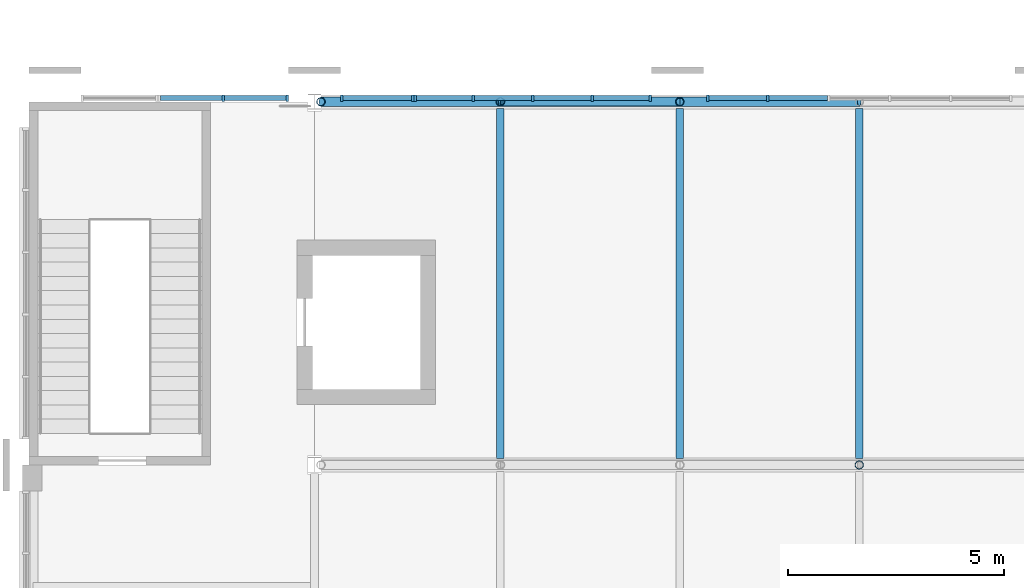
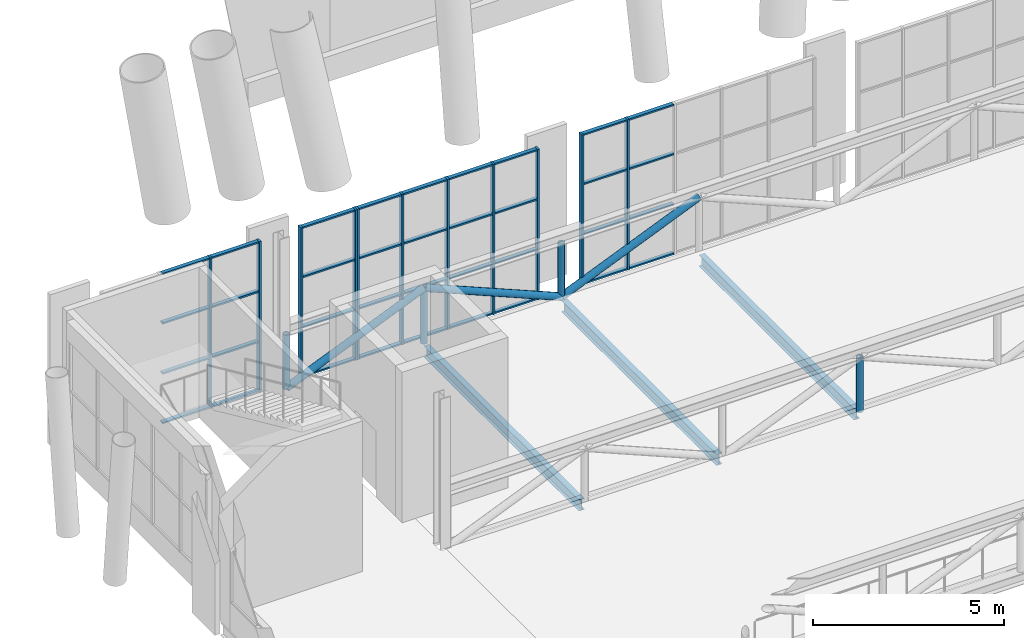
# One storey, part 34 of 76: 54 members, 3 beams, 4 elements without a shape of their own.
"""IFC4 building model written with IfcOpenShell, lengths in metres."""

from ifc_helpers import new_model, si_unit, direction, frame, origin, origin_2d, place, context, subcontext, project, spatial, rectangle, hollow_circle, i_section, extrude, material, material_profile, profile_set, type_object, element, aggregate, save


model = new_model("IFC4")

# Units and contexts
model_context = context("Model", 3, precision=1e-05, world=origin(), true_north=direction((0.0, 1.0)))
body_context = subcontext(model_context, "Body", "Model", "MODEL_VIEW")
ifc_project = project(units=[si_unit("LENGTHUNIT", "METRE"), si_unit("AREAUNIT", "SQUARE_METRE"), si_unit("VOLUMEUNIT", "CUBIC_METRE"), si_unit("PLANEANGLEUNIT", "RADIAN"), si_unit("MASSUNIT", "GRAM", prefix="KILO")], contexts=[model_context])

# Site, building, storey
site_placement = place(None, origin())
site = spatial("IfcSite", under=ifc_project, at=site_placement, CompositionType="ELEMENT")
building_placement = place(site_placement, origin())
building = spatial("IfcBuilding", under=site, at=building_placement, Name="Sava Quay Ferry Terminal", CompositionType="ELEMENT")
storey_placement = place(building_placement, frame((0.0, 0.0, 6.0)))
storey = spatial("IfcBuildingStorey", under=building, at=storey_placement, Name="L01", CompositionType="ELEMENT", Elevation=6.0)

# Beams
ifc_material_1 = material(Name="Steel S355", Category="steel")
ifc_material_profile_1 = material_profile(ifc_material_1, i_section(OverallWidth=0.169921875, OverallDepth=0.360107421875, WebThickness=0.008056640625, FlangeThickness=0.0126953125, at=origin_2d()), Name="IPE 360")
ifc_profile_set_1 = profile_set([ifc_material_profile_1], Name="Steel S355")
beam_type = type_object("IfcBeamType", Name="Beam IPE 360", PredefinedType="BEAM", material=ifc_profile_set_1)
for number, where, z_axis, x_axis, name in (
    (1, (54.699951171875, 92.550048828125, -0.31005859375), (0.0, 1.0, 0.0), (-1.0, 0.0, 0.0), "Truss floor beam"),
    (2, (58.85009765625, 92.550048828125, -0.31005859375), (0.0, 1.0, 0.0), (-1.0, 0.0, 0.0), "Truss floor beam"),
    (3, (63.0, 92.550048828125, -0.31005859375), (0.0, 1.0, 0.0), (-1.0, 0.0, 0.0), "Truss floor beam"),
):
    element("IfcBeam", number, at=place(storey_placement, frame(where, z_axis=z_axis, x_axis=x_axis)), inside=storey, type_object=beam_type, Name=name, PredefinedType="BEAM", context=body_context, shape_type="SweptSolid", body=[
        extrude(i_section(OverallWidth=0.169921875, OverallDepth=0.360107421875, WebThickness=0.008056640625, FlangeThickness=0.0126953125, at=origin_2d()), origin(), (0.0, 0.0, 1.0), 8.099853515625),
    ])

# Members
ifc_material_2 = material(Name="Steel S355", Category="steel")
ifc_material_profile_2 = material_profile(ifc_material_2, hollow_circle(Radius=0.096923828125, WallThickness=0.008056640625, at=origin_2d()), Name="CHS 193.7 x 8")
ifc_profile_set_2 = profile_set([ifc_material_profile_2], Name="Steel S355")
member_type_1 = type_object("IfcMemberType", Name="Brace CHS 193.7 x 8", PredefinedType="BRACE", material=ifc_profile_set_2)
for number, where, z_axis, x_axis, name in (
    (4, (63.0, 92.39990234375, -0.1298828125), (0.0, 0.0, 1.0), (1.0, 0.0, 0.0), "Truss post 92.4"),
    (5, (50.550048828125, 100.800048828125, -0.1298828125), (0.0, 0.0, 1.0), (1.0, 0.0, 0.0), "Truss post 100.8"),
    (6, (54.699951171875, 100.800048828125, -0.1298828125), (0.0, 0.0, 1.0), (1.0, 0.0, 0.0), "Truss post 100.8"),
    (7, (58.85009765625, 100.800048828125, -0.1298828125), (0.0, 0.0, 1.0), (1.0, 0.0, 0.0), "Truss post 100.8"),
):
    element("IfcMember", number, at=place(storey_placement, frame(where, z_axis=z_axis, x_axis=x_axis)), inside=storey, type_object=member_type_1, Name=name, PredefinedType="BRACE", context=body_context, shape_type="SweptSolid", body=[
        extrude(hollow_circle(Radius=0.096923828125, WallThickness=0.008056640625, at=origin_2d()), origin(), (0.0, 0.0, 1.0), 1.739990234375),
    ])
ifc_material_3 = material(Name="Steel S355", Category="steel")
ifc_material_profile_3 = material_profile(ifc_material_3, hollow_circle(Radius=0.109619140625, WallThickness=0.010009765625, at=origin_2d()), Name="CHS 219.1 x 10")
ifc_profile_set_3 = profile_set([ifc_material_profile_3], Name="Steel S355")
member_type_2 = type_object("IfcMemberType", Name="Brace CHS 219.1 x 10", PredefinedType="BRACE", material=ifc_profile_set_3)
member_1_placement = place(storey_placement, frame((50.550048828125, 100.800048828125, -0.1298828125), z_axis=(0.922217474343, 0.0, 0.386671604874), x_axis=(0.0, 1.0, 0.0)))
element("IfcMember", 8, at=member_1_placement, inside=storey, type_object=member_type_2, Name="Truss diagonal 100.8", PredefinedType="BRACE", context=body_context, shape_type="SweptSolid", body=[
    extrude(hollow_circle(Radius=0.109619140625, WallThickness=0.010009765625, at=origin_2d()), origin(), (0.0, 0.0, 1.0), 4.5),
])
member_2_placement = place(storey_placement, frame((58.85009765625, 100.800048828125, -0.1298828125), z_axis=(-0.922225585588, 0.0, 0.386652258867), x_axis=(0.0, -1.0, 0.0)))
element("IfcMember", 9, at=member_2_placement, inside=storey, type_object=member_type_2, Name="Truss diagonal 100.8", PredefinedType="BRACE", context=body_context, shape_type="SweptSolid", body=[
    extrude(hollow_circle(Radius=0.109619140625, WallThickness=0.010009765625, at=origin_2d()), origin(), (0.0, 0.0, 1.0), 4.500244140625),
])
member_3_placement = place(storey_placement, frame((58.85009765625, 100.800048828125, -0.1298828125), z_axis=(0.922217474343, 0.0, 0.386671604874), x_axis=(0.0, 1.0, 0.0)))
element("IfcMember", 10, at=member_3_placement, inside=storey, type_object=member_type_2, Name="Truss diagonal 100.8", PredefinedType="BRACE", context=body_context, shape_type="SweptSolid", body=[
    extrude(hollow_circle(Radius=0.109619140625, WallThickness=0.010009765625, at=origin_2d()), origin(), (0.0, 0.0, 1.0), 4.5),
])

# Curtain wall, members
ifc_material_4 = material(Name="Aluminium and glass curtain wall, double low-e glazed", Category="aluminium")
curtain_wall_type = type_object("IfcCurtainWallType", Name="Curtain wall CW-G gable", PredefinedType="NOTDEFINED", material=ifc_material_4)
curtain_wall_1_placement = place(storey_placement, origin())
curtain_wall_1 = element("IfcCurtainWall", 11, at=curtain_wall_1_placement, inside=storey, type_object=curtain_wall_type, Name="Curtain wall D-N L01 bay 11", PredefinedType="NOTDEFINED")
ifc_material_5 = material(Name="Aluminium EN AW-6063 T6", Category="aluminium")
ifc_material_profile_4 = material_profile(ifc_material_5, rectangle(XDim=0.14990234375, YDim=0.06005859375, at=origin_2d()), Name="Mullion 60x150 aluminium")
ifc_profile_set_4 = profile_set([ifc_material_profile_4], Name="Aluminium EN AW-6063 T6")
member_type_3 = type_object("IfcMemberType", Name="Mullion 60x150 aluminium", PredefinedType="MULLION", material=ifc_profile_set_4)
member_4_placement = place(storey_placement, frame((48.2900390625, 100.885009765625, 0.0), z_axis=(0.0, 0.0, 1.0), x_axis=(0.0, 1.0, 0.0)))
member_4 = element("IfcMember", 12, at=member_4_placement, type_object=member_type_3, Name="CW58 mullion 2", PredefinedType="MULLION", context=body_context, shape_type="SweptSolid", body=[
    extrude(rectangle(XDim=0.14990234375, YDim=0.06005859375, at=origin_2d()), origin(), (0.0, 0.0, 1.0), 4.800048828125),
])
member_5_placement = place(storey_placement, frame((49.77001953125, 100.885009765625, 0.0), z_axis=(0.0, 0.0, 1.0), x_axis=(0.0, 1.0, 0.0)))
member_5 = element("IfcMember", 13, at=member_5_placement, type_object=member_type_3, Name="CW58 mullion 3", PredefinedType="MULLION", context=body_context, shape_type="SweptSolid", body=[
    extrude(rectangle(XDim=0.14990234375, YDim=0.06005859375, at=origin_2d()), origin(), (0.0, 0.0, 1.0), 4.800048828125),
])

curtain_wall_2_placement = place(storey_placement, origin())
curtain_wall_2 = element("IfcCurtainWall", 14, at=curtain_wall_2_placement, inside=storey, type_object=curtain_wall_type, Name="Curtain wall D-N L01 bay 12", PredefinedType="NOTDEFINED")
member_6_placement = place(storey_placement, frame((51.030029296875, 100.885009765625, 0.0), z_axis=(0.0, 0.0, 1.0), x_axis=(0.0, 1.0, 0.0)))
member_6 = element("IfcMember", 15, at=member_6_placement, type_object=member_type_3, Name="CW62 mullion 1", PredefinedType="MULLION", context=body_context, shape_type="SweptSolid", body=[
    extrude(rectangle(XDim=0.14990234375, YDim=0.06005859375, at=origin_2d()), origin(), (0.0, 0.0, 1.0), 4.800048828125),
])
member_7_placement = place(storey_placement, frame((52.669921875, 100.885009765625, 0.0), z_axis=(0.0, 0.0, 1.0), x_axis=(0.0, 1.0, 0.0)))
member_7 = element("IfcMember", 16, at=member_7_placement, type_object=member_type_3, Name="CW62 mullion 2", PredefinedType="MULLION", context=body_context, shape_type="SweptSolid", body=[
    extrude(rectangle(XDim=0.14990234375, YDim=0.06005859375, at=origin_2d()), origin(), (0.0, 0.0, 1.0), 4.800048828125),
])

curtain_wall_3_placement = place(storey_placement, origin())
curtain_wall_3 = element("IfcCurtainWall", 17, at=curtain_wall_3_placement, inside=storey, type_object=curtain_wall_type, Name="Curtain wall D-N L01 bay 21", PredefinedType="NOTDEFINED")
member_8_placement = place(storey_placement, frame((52.72998046875, 100.885009765625, 0.0), z_axis=(0.0, 0.0, 1.0), x_axis=(0.0, 1.0, 0.0)))
member_8 = element("IfcMember", 18, at=member_8_placement, type_object=member_type_3, Name="CW66 mullion 1", PredefinedType="MULLION", context=body_context, shape_type="SweptSolid", body=[
    extrude(rectangle(XDim=0.14990234375, YDim=0.06005859375, at=origin_2d()), origin(), (0.0, 0.0, 1.0), 4.800048828125),
])
member_9_placement = place(storey_placement, frame((54.074951171875, 100.885009765625, 0.0), z_axis=(0.0, 0.0, 1.0), x_axis=(0.0, 1.0, 0.0)))
member_9 = element("IfcMember", 19, at=member_9_placement, type_object=member_type_3, Name="CW66 mullion 2", PredefinedType="MULLION", context=body_context, shape_type="SweptSolid", body=[
    extrude(rectangle(XDim=0.14990234375, YDim=0.06005859375, at=origin_2d()), origin(), (0.0, 0.0, 1.0), 4.800048828125),
])
member_10_placement = place(storey_placement, frame((55.449951171875, 100.885009765625, 0.0), z_axis=(0.0, 0.0, 1.0), x_axis=(0.0, 1.0, 0.0)))
member_10 = element("IfcMember", 20, at=member_10_placement, type_object=member_type_3, Name="CW66 mullion 3", PredefinedType="MULLION", context=body_context, shape_type="SweptSolid", body=[
    extrude(rectangle(XDim=0.14990234375, YDim=0.06005859375, at=origin_2d()), origin(), (0.0, 0.0, 1.0), 4.800048828125),
])
member_11_placement = place(storey_placement, frame((56.824951171875, 100.885009765625, 0.0), z_axis=(0.0, 0.0, 1.0), x_axis=(0.0, 1.0, 0.0)))
member_11 = element("IfcMember", 21, at=member_11_placement, type_object=member_type_3, Name="CW66 mullion 4", PredefinedType="MULLION", context=body_context, shape_type="SweptSolid", body=[
    extrude(rectangle(XDim=0.14990234375, YDim=0.06005859375, at=origin_2d()), origin(), (0.0, 0.0, 1.0), 4.800048828125),
])
member_12_placement = place(storey_placement, frame((58.169921875, 100.885009765625, 0.0), z_axis=(0.0, 0.0, 1.0), x_axis=(0.0, 1.0, 0.0)))
member_12 = element("IfcMember", 22, at=member_12_placement, type_object=member_type_3, Name="CW66 mullion 5", PredefinedType="MULLION", context=body_context, shape_type="SweptSolid", body=[
    extrude(rectangle(XDim=0.14990234375, YDim=0.06005859375, at=origin_2d()), origin(), (0.0, 0.0, 1.0), 4.800048828125),
])

curtain_wall_4_placement = place(storey_placement, origin())
curtain_wall_4 = element("IfcCurtainWall", 23, at=curtain_wall_4_placement, inside=storey, type_object=curtain_wall_type, Name="Curtain wall D-N L01 bay 31", PredefinedType="NOTDEFINED")
member_13_placement = place(storey_placement, frame((59.5, 100.885009765625, 0.0), z_axis=(0.0, 0.0, 1.0), x_axis=(0.0, 1.0, 0.0)))
member_13 = element("IfcMember", 24, at=member_13_placement, type_object=member_type_3, Name="CW70 mullion 1", PredefinedType="MULLION", context=body_context, shape_type="SweptSolid", body=[
    extrude(rectangle(XDim=0.14990234375, YDim=0.06005859375, at=origin_2d()), origin(), (0.0, 0.0, 1.0), 4.800048828125),
])
member_14_placement = place(storey_placement, frame((60.882080078125, 100.885009765625, 0.0), z_axis=(0.0, 0.0, 1.0), x_axis=(0.0, 1.0, 0.0)))
member_14 = element("IfcMember", 25, at=member_14_placement, type_object=member_type_3, Name="CW70 mullion 2", PredefinedType="MULLION", context=body_context, shape_type="SweptSolid", body=[
    extrude(rectangle(XDim=0.14990234375, YDim=0.06005859375, at=origin_2d()), origin(), (0.0, 0.0, 1.0), 4.800048828125),
])

# Member
ifc_material_6 = material(Name="Aluminium EN AW-6063 T6", Category="aluminium")
ifc_material_profile_5 = material_profile(ifc_material_6, rectangle(XDim=0.1201171875, YDim=0.050048828125, at=origin_2d()), Name="Transom 50x120 aluminium")
ifc_profile_set_5 = profile_set([ifc_material_profile_5], Name="Aluminium EN AW-6063 T6")
member_type_4 = type_object("IfcMemberType", Name="Transom 50x120 aluminium", PredefinedType="USERDEFINED", material=ifc_profile_set_5)
member_15_placement = place(storey_placement, frame((46.840087890625, 100.885009765625, 0.02490234375), z_axis=(1.0, 0.0, 0.0), x_axis=(0.0, 1.0, 0.0)))
member_15 = element("IfcMember", 26, at=member_15_placement, type_object=member_type_4, Name="CW58 transom 1.1", ObjectType="TRANSOM", PredefinedType="USERDEFINED", context=body_context, shape_type="SweptSolid", body=[
    extrude(rectangle(XDim=0.1201171875, YDim=0.050048828125, at=origin_2d()), origin(), (0.0, 0.0, 1.0), 1.419921875),
])

member_16_placement = place(storey_placement, frame((46.840087890625, 100.885009765625, 1.60009765625), z_axis=(1.0, 0.0, 0.0), x_axis=(0.0, 1.0, 0.0)))
member_16 = element("IfcMember", 27, at=member_16_placement, type_object=member_type_4, Name="CW58 transom 1.2", ObjectType="TRANSOM", PredefinedType="USERDEFINED", context=body_context, shape_type="SweptSolid", body=[
    extrude(rectangle(XDim=0.1201171875, YDim=0.050048828125, at=origin_2d()), origin(), (0.0, 0.0, 1.0), 1.419921875),
])

member_17_placement = place(storey_placement, frame((46.840087890625, 100.885009765625, 3.199951171875), z_axis=(1.0, 0.0, 0.0), x_axis=(0.0, 1.0, 0.0)))
member_17 = element("IfcMember", 28, at=member_17_placement, type_object=member_type_4, Name="CW58 transom 1.3", ObjectType="TRANSOM", PredefinedType="USERDEFINED", context=body_context, shape_type="SweptSolid", body=[
    extrude(rectangle(XDim=0.1201171875, YDim=0.050048828125, at=origin_2d()), origin(), (0.0, 0.0, 1.0), 1.419921875),
])

member_18_placement = place(storey_placement, frame((46.840087890625, 100.885009765625, 4.77490234375), z_axis=(1.0, 0.0, 0.0), x_axis=(0.0, 1.0, 0.0)))
member_18 = element("IfcMember", 29, at=member_18_placement, type_object=member_type_4, Name="CW58 transom 1.4", ObjectType="TRANSOM", PredefinedType="USERDEFINED", context=body_context, shape_type="SweptSolid", body=[
    extrude(rectangle(XDim=0.1201171875, YDim=0.050048828125, at=origin_2d()), origin(), (0.0, 0.0, 1.0), 1.419921875),
])

member_19_placement = place(storey_placement, frame((48.320068359375, 100.885009765625, 0.02490234375), z_axis=(1.0, 0.0, 0.0), x_axis=(0.0, 1.0, 0.0)))
member_19 = element("IfcMember", 30, at=member_19_placement, type_object=member_type_4, Name="CW58 transom 2.1", ObjectType="TRANSOM", PredefinedType="USERDEFINED", context=body_context, shape_type="SweptSolid", body=[
    extrude(rectangle(XDim=0.1201171875, YDim=0.050048828125, at=origin_2d()), origin(), (0.0, 0.0, 1.0), 1.419921875),
])

member_20_placement = place(storey_placement, frame((48.320068359375, 100.885009765625, 1.60009765625), z_axis=(1.0, 0.0, 0.0), x_axis=(0.0, 1.0, 0.0)))
member_20 = element("IfcMember", 31, at=member_20_placement, type_object=member_type_4, Name="CW58 transom 2.2", ObjectType="TRANSOM", PredefinedType="USERDEFINED", context=body_context, shape_type="SweptSolid", body=[
    extrude(rectangle(XDim=0.1201171875, YDim=0.050048828125, at=origin_2d()), origin(), (0.0, 0.0, 1.0), 1.419921875),
])

member_21_placement = place(storey_placement, frame((48.320068359375, 100.885009765625, 3.199951171875), z_axis=(1.0, 0.0, 0.0), x_axis=(0.0, 1.0, 0.0)))
member_21 = element("IfcMember", 32, at=member_21_placement, type_object=member_type_4, Name="CW58 transom 2.3", ObjectType="TRANSOM", PredefinedType="USERDEFINED", context=body_context, shape_type="SweptSolid", body=[
    extrude(rectangle(XDim=0.1201171875, YDim=0.050048828125, at=origin_2d()), origin(), (0.0, 0.0, 1.0), 1.419921875),
])

member_22_placement = place(storey_placement, frame((48.320068359375, 100.885009765625, 4.77490234375), z_axis=(1.0, 0.0, 0.0), x_axis=(0.0, 1.0, 0.0)))
member_22 = element("IfcMember", 33, at=member_22_placement, type_object=member_type_4, Name="CW58 transom 2.4", ObjectType="TRANSOM", PredefinedType="USERDEFINED", context=body_context, shape_type="SweptSolid", body=[
    extrude(rectangle(XDim=0.1201171875, YDim=0.050048828125, at=origin_2d()), origin(), (0.0, 0.0, 1.0), 1.419921875),
])

aggregate(curtain_wall_1, [member_4, member_5, member_15, member_16, member_17, member_18, member_19, member_20, member_21, member_22])

member_23_placement = place(storey_placement, frame((51.06005859375, 100.885009765625, 0.02490234375), z_axis=(1.0, 0.0, 0.0), x_axis=(0.0, 1.0, 0.0)))
member_23 = element("IfcMember", 34, at=member_23_placement, type_object=member_type_4, Name="CW62 transom 1.1", ObjectType="TRANSOM", PredefinedType="USERDEFINED", context=body_context, shape_type="SweptSolid", body=[
    extrude(rectangle(XDim=0.1201171875, YDim=0.050048828125, at=origin_2d()), origin(), (0.0, 0.0, 1.0), 1.579833984375),
])

member_24_placement = place(storey_placement, frame((51.06005859375, 100.885009765625, 1.60009765625), z_axis=(1.0, 0.0, 0.0), x_axis=(0.0, 1.0, 0.0)))
member_24 = element("IfcMember", 35, at=member_24_placement, type_object=member_type_4, Name="CW62 transom 1.2", ObjectType="TRANSOM", PredefinedType="USERDEFINED", context=body_context, shape_type="SweptSolid", body=[
    extrude(rectangle(XDim=0.1201171875, YDim=0.050048828125, at=origin_2d()), origin(), (0.0, 0.0, 1.0), 1.579833984375),
])

member_25_placement = place(storey_placement, frame((51.06005859375, 100.885009765625, 3.199951171875), z_axis=(1.0, 0.0, 0.0), x_axis=(0.0, 1.0, 0.0)))
member_25 = element("IfcMember", 36, at=member_25_placement, type_object=member_type_4, Name="CW62 transom 1.3", ObjectType="TRANSOM", PredefinedType="USERDEFINED", context=body_context, shape_type="SweptSolid", body=[
    extrude(rectangle(XDim=0.1201171875, YDim=0.050048828125, at=origin_2d()), origin(), (0.0, 0.0, 1.0), 1.579833984375),
])

member_26_placement = place(storey_placement, frame((51.06005859375, 100.885009765625, 4.77490234375), z_axis=(1.0, 0.0, 0.0), x_axis=(0.0, 1.0, 0.0)))
member_26 = element("IfcMember", 37, at=member_26_placement, type_object=member_type_4, Name="CW62 transom 1.4", ObjectType="TRANSOM", PredefinedType="USERDEFINED", context=body_context, shape_type="SweptSolid", body=[
    extrude(rectangle(XDim=0.1201171875, YDim=0.050048828125, at=origin_2d()), origin(), (0.0, 0.0, 1.0), 1.579833984375),
])

aggregate(curtain_wall_2, [member_6, member_7, member_23, member_24, member_25, member_26])

member_27_placement = place(storey_placement, frame((52.760009765625, 100.885009765625, 0.02490234375), z_axis=(1.0, 0.0, 0.0), x_axis=(0.0, 1.0, 0.0)))
member_27 = element("IfcMember", 38, at=member_27_placement, type_object=member_type_4, Name="CW66 transom 1.1", ObjectType="TRANSOM", PredefinedType="USERDEFINED", context=body_context, shape_type="SweptSolid", body=[
    extrude(rectangle(XDim=0.1201171875, YDim=0.050048828125, at=origin_2d()), origin(), (0.0, 0.0, 1.0), 1.284912109375),
])

member_28_placement = place(storey_placement, frame((52.760009765625, 100.885009765625, 1.60009765625), z_axis=(1.0, 0.0, 0.0), x_axis=(0.0, 1.0, 0.0)))
member_28 = element("IfcMember", 39, at=member_28_placement, type_object=member_type_4, Name="CW66 transom 1.2", ObjectType="TRANSOM", PredefinedType="USERDEFINED", context=body_context, shape_type="SweptSolid", body=[
    extrude(rectangle(XDim=0.1201171875, YDim=0.050048828125, at=origin_2d()), origin(), (0.0, 0.0, 1.0), 1.284912109375),
])

member_29_placement = place(storey_placement, frame((52.760009765625, 100.885009765625, 3.199951171875), z_axis=(1.0, 0.0, 0.0), x_axis=(0.0, 1.0, 0.0)))
member_29 = element("IfcMember", 40, at=member_29_placement, type_object=member_type_4, Name="CW66 transom 1.3", ObjectType="TRANSOM", PredefinedType="USERDEFINED", context=body_context, shape_type="SweptSolid", body=[
    extrude(rectangle(XDim=0.1201171875, YDim=0.050048828125, at=origin_2d()), origin(), (0.0, 0.0, 1.0), 1.284912109375),
])

member_30_placement = place(storey_placement, frame((52.760009765625, 100.885009765625, 4.77490234375), z_axis=(1.0, 0.0, 0.0), x_axis=(0.0, 1.0, 0.0)))
member_30 = element("IfcMember", 41, at=member_30_placement, type_object=member_type_4, Name="CW66 transom 1.4", ObjectType="TRANSOM", PredefinedType="USERDEFINED", context=body_context, shape_type="SweptSolid", body=[
    extrude(rectangle(XDim=0.1201171875, YDim=0.050048828125, at=origin_2d()), origin(), (0.0, 0.0, 1.0), 1.284912109375),
])

member_31_placement = place(storey_placement, frame((54.10498046875, 100.885009765625, 0.02490234375), z_axis=(1.0, 0.0, 0.0), x_axis=(0.0, 1.0, 0.0)))
member_31 = element("IfcMember", 42, at=member_31_placement, type_object=member_type_4, Name="CW66 transom 2.1", ObjectType="TRANSOM", PredefinedType="USERDEFINED", context=body_context, shape_type="SweptSolid", body=[
    extrude(rectangle(XDim=0.1201171875, YDim=0.050048828125, at=origin_2d()), origin(), (0.0, 0.0, 1.0), 1.31494140625),
])

member_32_placement = place(storey_placement, frame((54.10498046875, 100.885009765625, 1.60009765625), z_axis=(1.0, 0.0, 0.0), x_axis=(0.0, 1.0, 0.0)))
member_32 = element("IfcMember", 43, at=member_32_placement, type_object=member_type_4, Name="CW66 transom 2.2", ObjectType="TRANSOM", PredefinedType="USERDEFINED", context=body_context, shape_type="SweptSolid", body=[
    extrude(rectangle(XDim=0.1201171875, YDim=0.050048828125, at=origin_2d()), origin(), (0.0, 0.0, 1.0), 1.31494140625),
])

member_33_placement = place(storey_placement, frame((54.10498046875, 100.885009765625, 3.199951171875), z_axis=(1.0, 0.0, 0.0), x_axis=(0.0, 1.0, 0.0)))
member_33 = element("IfcMember", 44, at=member_33_placement, type_object=member_type_4, Name="CW66 transom 2.3", ObjectType="TRANSOM", PredefinedType="USERDEFINED", context=body_context, shape_type="SweptSolid", body=[
    extrude(rectangle(XDim=0.1201171875, YDim=0.050048828125, at=origin_2d()), origin(), (0.0, 0.0, 1.0), 1.31494140625),
])

member_34_placement = place(storey_placement, frame((54.10498046875, 100.885009765625, 4.77490234375), z_axis=(1.0, 0.0, 0.0), x_axis=(0.0, 1.0, 0.0)))
member_34 = element("IfcMember", 45, at=member_34_placement, type_object=member_type_4, Name="CW66 transom 2.4", ObjectType="TRANSOM", PredefinedType="USERDEFINED", context=body_context, shape_type="SweptSolid", body=[
    extrude(rectangle(XDim=0.1201171875, YDim=0.050048828125, at=origin_2d()), origin(), (0.0, 0.0, 1.0), 1.31494140625),
])

member_35_placement = place(storey_placement, frame((55.47998046875, 100.885009765625, 0.02490234375), z_axis=(1.0, 0.0, 0.0), x_axis=(0.0, 1.0, 0.0)))
member_35 = element("IfcMember", 46, at=member_35_placement, type_object=member_type_4, Name="CW66 transom 3.1", ObjectType="TRANSOM", PredefinedType="USERDEFINED", context=body_context, shape_type="SweptSolid", body=[
    extrude(rectangle(XDim=0.1201171875, YDim=0.050048828125, at=origin_2d()), origin(), (0.0, 0.0, 1.0), 1.31494140625),
])

member_36_placement = place(storey_placement, frame((55.47998046875, 100.885009765625, 1.60009765625), z_axis=(1.0, 0.0, 0.0), x_axis=(0.0, 1.0, 0.0)))
member_36 = element("IfcMember", 47, at=member_36_placement, type_object=member_type_4, Name="CW66 transom 3.2", ObjectType="TRANSOM", PredefinedType="USERDEFINED", context=body_context, shape_type="SweptSolid", body=[
    extrude(rectangle(XDim=0.1201171875, YDim=0.050048828125, at=origin_2d()), origin(), (0.0, 0.0, 1.0), 1.31494140625),
])

member_37_placement = place(storey_placement, frame((55.47998046875, 100.885009765625, 3.199951171875), z_axis=(1.0, 0.0, 0.0), x_axis=(0.0, 1.0, 0.0)))
member_37 = element("IfcMember", 48, at=member_37_placement, type_object=member_type_4, Name="CW66 transom 3.3", ObjectType="TRANSOM", PredefinedType="USERDEFINED", context=body_context, shape_type="SweptSolid", body=[
    extrude(rectangle(XDim=0.1201171875, YDim=0.050048828125, at=origin_2d()), origin(), (0.0, 0.0, 1.0), 1.31494140625),
])

member_38_placement = place(storey_placement, frame((55.47998046875, 100.885009765625, 4.77490234375), z_axis=(1.0, 0.0, 0.0), x_axis=(0.0, 1.0, 0.0)))
member_38 = element("IfcMember", 49, at=member_38_placement, type_object=member_type_4, Name="CW66 transom 3.4", ObjectType="TRANSOM", PredefinedType="USERDEFINED", context=body_context, shape_type="SweptSolid", body=[
    extrude(rectangle(XDim=0.1201171875, YDim=0.050048828125, at=origin_2d()), origin(), (0.0, 0.0, 1.0), 1.31494140625),
])

member_39_placement = place(storey_placement, frame((56.85498046875, 100.885009765625, 0.02490234375), z_axis=(1.0, 0.0, 0.0), x_axis=(0.0, 1.0, 0.0)))
member_39 = element("IfcMember", 50, at=member_39_placement, type_object=member_type_4, Name="CW66 transom 4.1", ObjectType="TRANSOM", PredefinedType="USERDEFINED", context=body_context, shape_type="SweptSolid", body=[
    extrude(rectangle(XDim=0.1201171875, YDim=0.050048828125, at=origin_2d()), origin(), (0.0, 0.0, 1.0), 1.284912109375),
])

member_40_placement = place(storey_placement, frame((56.85498046875, 100.885009765625, 1.60009765625), z_axis=(1.0, 0.0, 0.0), x_axis=(0.0, 1.0, 0.0)))
member_40 = element("IfcMember", 51, at=member_40_placement, type_object=member_type_4, Name="CW66 transom 4.2", ObjectType="TRANSOM", PredefinedType="USERDEFINED", context=body_context, shape_type="SweptSolid", body=[
    extrude(rectangle(XDim=0.1201171875, YDim=0.050048828125, at=origin_2d()), origin(), (0.0, 0.0, 1.0), 1.284912109375),
])

member_41_placement = place(storey_placement, frame((56.85498046875, 100.885009765625, 3.199951171875), z_axis=(1.0, 0.0, 0.0), x_axis=(0.0, 1.0, 0.0)))
member_41 = element("IfcMember", 52, at=member_41_placement, type_object=member_type_4, Name="CW66 transom 4.3", ObjectType="TRANSOM", PredefinedType="USERDEFINED", context=body_context, shape_type="SweptSolid", body=[
    extrude(rectangle(XDim=0.1201171875, YDim=0.050048828125, at=origin_2d()), origin(), (0.0, 0.0, 1.0), 1.284912109375),
])

member_42_placement = place(storey_placement, frame((56.85498046875, 100.885009765625, 4.77490234375), z_axis=(1.0, 0.0, 0.0), x_axis=(0.0, 1.0, 0.0)))
member_42 = element("IfcMember", 53, at=member_42_placement, type_object=member_type_4, Name="CW66 transom 4.4", ObjectType="TRANSOM", PredefinedType="USERDEFINED", context=body_context, shape_type="SweptSolid", body=[
    extrude(rectangle(XDim=0.1201171875, YDim=0.050048828125, at=origin_2d()), origin(), (0.0, 0.0, 1.0), 1.284912109375),
])

aggregate(curtain_wall_3, [member_8, member_9, member_10, member_11, member_12, member_27, member_28, member_29, member_30, member_31, member_32, member_33, member_34, member_35, member_36, member_37, member_38, member_39, member_40, member_41, member_42])

member_43_placement = place(storey_placement, frame((59.530029296875, 100.885009765625, 0.02490234375), z_axis=(1.0, 0.0, 0.0), x_axis=(0.0, 1.0, 0.0)))
member_43 = element("IfcMember", 54, at=member_43_placement, type_object=member_type_4, Name="CW70 transom 1.1", ObjectType="TRANSOM", PredefinedType="USERDEFINED", context=body_context, shape_type="SweptSolid", body=[
    extrude(rectangle(XDim=0.1201171875, YDim=0.050048828125, at=origin_2d()), origin(), (0.0, 0.0, 1.0), 1.322021484375),
])

member_44_placement = place(storey_placement, frame((59.530029296875, 100.885009765625, 1.60009765625), z_axis=(1.0, 0.0, 0.0), x_axis=(0.0, 1.0, 0.0)))
member_44 = element("IfcMember", 55, at=member_44_placement, type_object=member_type_4, Name="CW70 transom 1.2", ObjectType="TRANSOM", PredefinedType="USERDEFINED", context=body_context, shape_type="SweptSolid", body=[
    extrude(rectangle(XDim=0.1201171875, YDim=0.050048828125, at=origin_2d()), origin(), (0.0, 0.0, 1.0), 1.322021484375),
])

member_45_placement = place(storey_placement, frame((59.530029296875, 100.885009765625, 3.199951171875), z_axis=(1.0, 0.0, 0.0), x_axis=(0.0, 1.0, 0.0)))
member_45 = element("IfcMember", 56, at=member_45_placement, type_object=member_type_4, Name="CW70 transom 1.3", ObjectType="TRANSOM", PredefinedType="USERDEFINED", context=body_context, shape_type="SweptSolid", body=[
    extrude(rectangle(XDim=0.1201171875, YDim=0.050048828125, at=origin_2d()), origin(), (0.0, 0.0, 1.0), 1.322021484375),
])

member_46_placement = place(storey_placement, frame((59.530029296875, 100.885009765625, 4.77490234375), z_axis=(1.0, 0.0, 0.0), x_axis=(0.0, 1.0, 0.0)))
member_46 = element("IfcMember", 57, at=member_46_placement, type_object=member_type_4, Name="CW70 transom 1.4", ObjectType="TRANSOM", PredefinedType="USERDEFINED", context=body_context, shape_type="SweptSolid", body=[
    extrude(rectangle(XDim=0.1201171875, YDim=0.050048828125, at=origin_2d()), origin(), (0.0, 0.0, 1.0), 1.322021484375),
])

member_47_placement = place(storey_placement, frame((60.912109375, 100.885009765625, 0.02490234375), z_axis=(1.0, 0.0, 0.0), x_axis=(0.0, 1.0, 0.0)))
member_47 = element("IfcMember", 58, at=member_47_placement, type_object=member_type_4, Name="CW70 transom 2.1", ObjectType="TRANSOM", PredefinedType="USERDEFINED", context=body_context, shape_type="SweptSolid", body=[
    extrude(rectangle(XDim=0.1201171875, YDim=0.050048828125, at=origin_2d()), origin(), (0.0, 0.0, 1.0), 1.351806640625),
])

member_48_placement = place(storey_placement, frame((60.912109375, 100.885009765625, 1.60009765625), z_axis=(1.0, 0.0, 0.0), x_axis=(0.0, 1.0, 0.0)))
member_48 = element("IfcMember", 59, at=member_48_placement, type_object=member_type_4, Name="CW70 transom 2.2", ObjectType="TRANSOM", PredefinedType="USERDEFINED", context=body_context, shape_type="SweptSolid", body=[
    extrude(rectangle(XDim=0.1201171875, YDim=0.050048828125, at=origin_2d()), origin(), (0.0, 0.0, 1.0), 1.351806640625),
])

member_49_placement = place(storey_placement, frame((60.912109375, 100.885009765625, 3.199951171875), z_axis=(1.0, 0.0, 0.0), x_axis=(0.0, 1.0, 0.0)))
member_49 = element("IfcMember", 60, at=member_49_placement, type_object=member_type_4, Name="CW70 transom 2.3", ObjectType="TRANSOM", PredefinedType="USERDEFINED", context=body_context, shape_type="SweptSolid", body=[
    extrude(rectangle(XDim=0.1201171875, YDim=0.050048828125, at=origin_2d()), origin(), (0.0, 0.0, 1.0), 1.351806640625),
])

member_50_placement = place(storey_placement, frame((60.912109375, 100.885009765625, 4.77490234375), z_axis=(1.0, 0.0, 0.0), x_axis=(0.0, 1.0, 0.0)))
member_50 = element("IfcMember", 61, at=member_50_placement, type_object=member_type_4, Name="CW70 transom 2.4", ObjectType="TRANSOM", PredefinedType="USERDEFINED", context=body_context, shape_type="SweptSolid", body=[
    extrude(rectangle(XDim=0.1201171875, YDim=0.050048828125, at=origin_2d()), origin(), (0.0, 0.0, 1.0), 1.351806640625),
])

aggregate(curtain_wall_4, [member_13, member_14, member_43, member_44, member_45, member_46, member_47, member_48, member_49, member_50])

save(model, "model.ifc")
